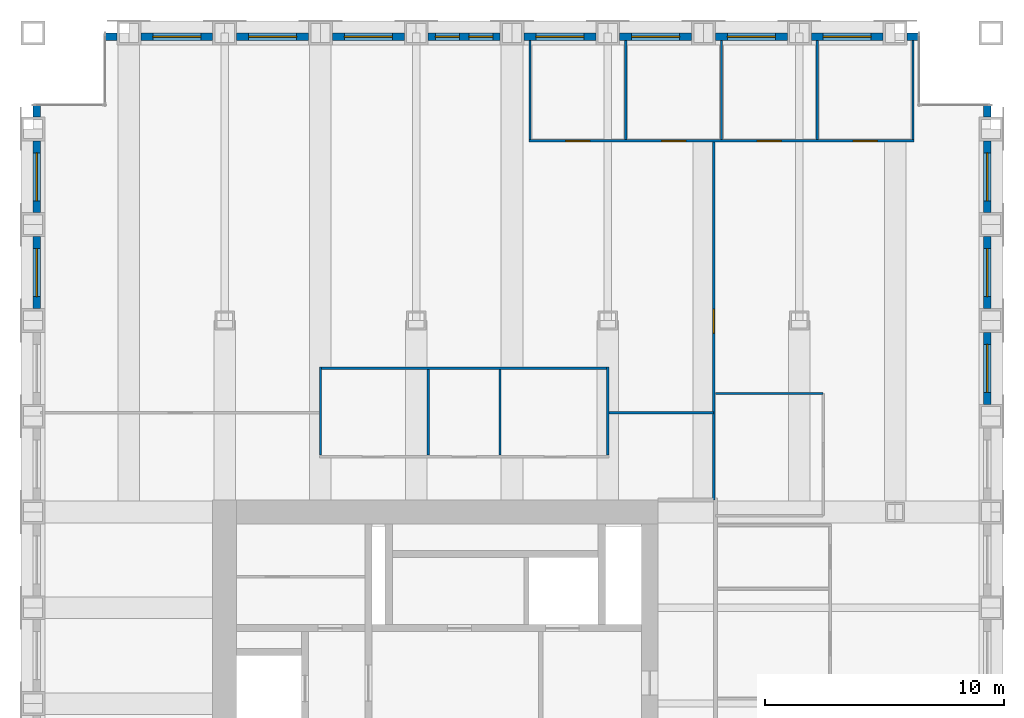
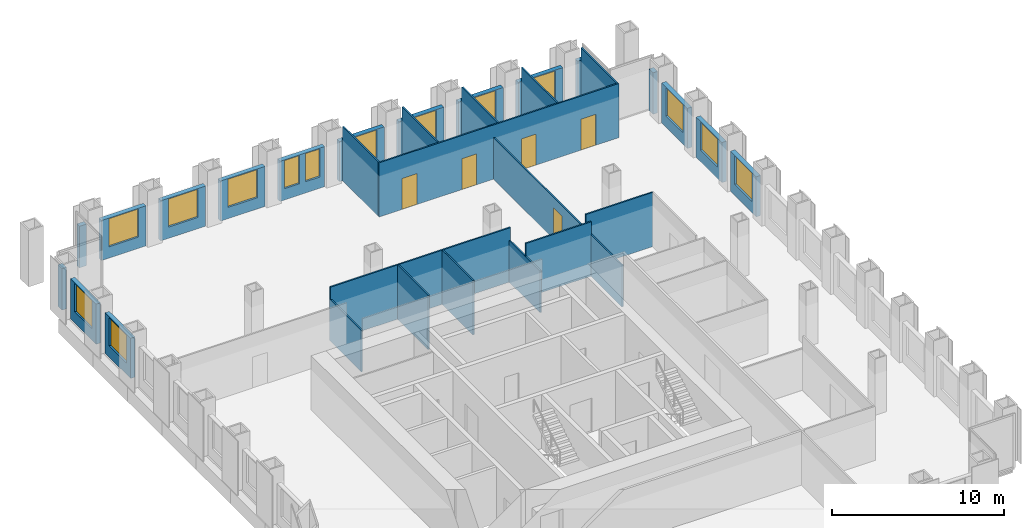
# One storey, part 11 of 13: 31 walls, 14 windows, 5 doors, 19 openings.
"""IFC4 building model written with IfcOpenShell, lengths in metres."""

from ifc_helpers import new_model, si_unit, direction, frame, frame_2d, origin, place, context, subcontext, project, spatial, rectangle, extrude, material, layer, layer_set, type_object, element, fill, save


model = new_model("IFC4")

# Units and contexts
model_context = context("Model", 3, precision=1e-05, world=origin(), true_north=direction((0.0, 1.0)))
body_context = subcontext(model_context, "Body", "Model", "MODEL_VIEW")
ifc_project = project(units=[si_unit("LENGTHUNIT", "METRE"), si_unit("AREAUNIT", "SQUARE_METRE"), si_unit("VOLUMEUNIT", "CUBIC_METRE"), si_unit("PLANEANGLEUNIT", "RADIAN"), si_unit("MASSUNIT", "GRAM", prefix="KILO")], contexts=[model_context])

# Site, building, storey
site_placement = place(None, origin())
site = spatial("IfcSite", under=ifc_project, at=site_placement, CompositionType="ELEMENT")
building_placement = place(site_placement, origin())
building = spatial("IfcBuilding", under=site, at=building_placement, Name="Rimbunsela Tower", CompositionType="ELEMENT")
storey_placement = place(building_placement, frame((0.0, 0.0, 214.199951171875)))
storey = spatial("IfcBuildingStorey", under=building, at=storey_placement, Name="L51", CompositionType="ELEMENT", Elevation=214.199951171875)

# Wall, openings, doors
ifc_material_1 = material(Name="Gypsum board on steel studs", Category="steel")
ifc_layer_1 = layer(ifc_material_1, 0.10009765625)
ifc_layer_set_1 = layer_set([ifc_layer_1], Name="Office partition 100")
wall_type_1 = type_object("IfcWallType", Name="Office partition 100", PredefinedType="PARTITIONING", material=ifc_layer_set_1)
wall_1_placement = place(storey_placement, frame((30.699951171875, 51.5, 0.0), z_axis=(0.0, 0.0, 1.0), x_axis=(1.0, 0.0, 0.0)))
wall_1 = element("IfcWall", 1, at=wall_1_placement, inside=storey, type_object=wall_type_1, Name="Office partition", PredefinedType="PARTITIONING", context=body_context, shape_type="SweptSolid", body=[
    extrude(rectangle(XDim=16.10009765625, YDim=0.10009765625, at=frame_2d((8.050048828125, 0.0))), origin(), (0.0, 0.0, 1.0), 3.85009765625),
])
opening_1_placement = place(wall_1_placement, frame((1.550048828125, 0.0, 0.0)))
opening_1 = element("IfcOpeningElement", 2, at=opening_1_placement, cuts=wall_1, Name="Opening D16", PredefinedType="OPENING", context=body_context, shape_type="SweptSolid", body=[
    extrude(rectangle(XDim=1.0, YDim=2.199951171875, at=frame_2d((0.5, 1.10009765625))), frame((0.0, 0.06005859375, 0.0), z_axis=(0.0, -1.0, 0.0), x_axis=(1.0, 0.0, 0.0)), (0.0, 0.0, 1.0), 0.1201171875),
])
opening_2_placement = place(wall_1_placement, frame((5.550048828125, 0.0, 0.0)))
opening_2 = element("IfcOpeningElement", 3, at=opening_2_placement, cuts=wall_1, Name="Opening D16", PredefinedType="OPENING", context=body_context, shape_type="SweptSolid", body=[
    extrude(rectangle(XDim=1.0, YDim=2.199951171875, at=frame_2d((0.5, 1.10009765625))), frame((0.0, 0.06005859375, 0.0), z_axis=(0.0, -1.0, 0.0), x_axis=(1.0, 0.0, 0.0)), (0.0, 0.0, 1.0), 0.1201171875),
])
opening_3_placement = place(wall_1_placement, frame((9.550048828125, 0.0, 0.0)))
opening_3 = element("IfcOpeningElement", 4, at=opening_3_placement, cuts=wall_1, Name="Opening D16", PredefinedType="OPENING", context=body_context, shape_type="SweptSolid", body=[
    extrude(rectangle(XDim=1.0, YDim=2.199951171875, at=frame_2d((0.5, 1.10009765625))), frame((0.0, 0.06005859375, 0.0), z_axis=(0.0, -1.0, 0.0), x_axis=(1.0, 0.0, 0.0)), (0.0, 0.0, 1.0), 0.1201171875),
])
opening_4_placement = place(wall_1_placement, frame((13.550048828125, 0.0, 0.0)))
opening_4 = element("IfcOpeningElement", 5, at=opening_4_placement, cuts=wall_1, Name="Opening D16", PredefinedType="OPENING", context=body_context, shape_type="SweptSolid", body=[
    extrude(rectangle(XDim=1.0, YDim=2.199951171875, at=frame_2d((0.5, 1.10009765625))), frame((0.0, 0.06005859375, 0.0), z_axis=(0.0, -1.0, 0.0), x_axis=(1.0, 0.0, 0.0)), (0.0, 0.0, 1.0), 0.1201171875),
])
ifc_material_2 = material(Name="Timber door", Category="wood")
door_type_1 = type_object("IfcDoorType", Name="Office door 1000", OperationType="SINGLE_SWING_LEFT", PredefinedType="DOOR", material=ifc_material_2)
door_1_placement = place(opening_1_placement, origin())
door_1 = element("IfcDoor", 6, at=door_1_placement, inside=storey, type_object=door_type_1, Name="Office door", OperationType="SINGLE_SWING_LEFT", OverallHeight=2.199951171875, OverallWidth=1.0, PredefinedType="DOOR", context=body_context, shape_type="SweptSolid", body=[
    extrude(rectangle(XDim=1.0, YDim=2.199951171875, at=frame_2d((0.5, 1.10009765625))), frame((0.0, 0.02490234375, 0.0), z_axis=(0.0, -1.0, 0.0), x_axis=(1.0, 0.0, 0.0)), (0.0, 0.0, 1.0), 0.050048828125),
])
fill(opening_1, door_1)
door_2_placement = place(opening_2_placement, origin())
door_2 = element("IfcDoor", 7, at=door_2_placement, inside=storey, type_object=door_type_1, Name="Office door", OperationType="SINGLE_SWING_LEFT", OverallHeight=2.199951171875, OverallWidth=1.0, PredefinedType="DOOR", context=body_context, shape_type="SweptSolid", body=[
    extrude(rectangle(XDim=1.0, YDim=2.199951171875, at=frame_2d((0.5, 1.10009765625))), frame((0.0, 0.02490234375, 0.0), z_axis=(0.0, -1.0, 0.0), x_axis=(1.0, 0.0, 0.0)), (0.0, 0.0, 1.0), 0.050048828125),
])
fill(opening_2, door_2)
door_3_placement = place(opening_3_placement, origin())
door_3 = element("IfcDoor", 8, at=door_3_placement, inside=storey, type_object=door_type_1, Name="Office door", OperationType="SINGLE_SWING_LEFT", OverallHeight=2.199951171875, OverallWidth=1.0, PredefinedType="DOOR", context=body_context, shape_type="SweptSolid", body=[
    extrude(rectangle(XDim=1.0, YDim=2.199951171875, at=frame_2d((0.5, 1.10009765625))), frame((0.0, 0.02490234375, 0.0), z_axis=(0.0, -1.0, 0.0), x_axis=(1.0, 0.0, 0.0)), (0.0, 0.0, 1.0), 0.050048828125),
])
fill(opening_3, door_3)
door_4_placement = place(opening_4_placement, origin())
door_4 = element("IfcDoor", 9, at=door_4_placement, inside=storey, type_object=door_type_1, Name="Office door", OperationType="SINGLE_SWING_LEFT", OverallHeight=2.199951171875, OverallWidth=1.0, PredefinedType="DOOR", context=body_context, shape_type="SweptSolid", body=[
    extrude(rectangle(XDim=1.0, YDim=2.199951171875, at=frame_2d((0.5, 1.10009765625))), frame((0.0, 0.02490234375, 0.0), z_axis=(0.0, -1.0, 0.0), x_axis=(1.0, 0.0, 0.0)), (0.0, 0.0, 1.0), 0.050048828125),
])
fill(opening_4, door_4)

# Walls
for number, where, z_axis, x_axis, name in (
    (10, (30.75, 51.550048828125, 0.0), (0.0, 0.0, 1.0), (0.0, 1.0, 0.0), "Office partition"),
    (11, (34.75, 51.550048828125, 0.0), (0.0, 0.0, 1.0), (0.0, 1.0, 0.0), "Office partition"),
    (12, (38.75, 51.550048828125, 0.0), (0.0, 0.0, 1.0), (0.0, 1.0, 0.0), "Office partition"),
    (13, (42.75, 51.550048828125, 0.0), (0.0, 0.0, 1.0), (0.0, 1.0, 0.0), "Office partition"),
    (14, (46.75, 51.550048828125, 0.0), (0.0, 0.0, 1.0), (0.0, 1.0, 0.0), "Office partition"),
):
    element("IfcWall", number, at=place(storey_placement, frame(where, z_axis=z_axis, x_axis=x_axis)), inside=storey, type_object=wall_type_1, Name=name, PredefinedType="PARTITIONING", context=body_context, shape_type="SweptSolid", body=[
        extrude(rectangle(XDim=4.14990234375, YDim=0.10009765625, at=frame_2d((2.074951171875, 0.0))), origin(), (0.0, 0.0, 1.0), 3.85009765625),
    ])

# Wall, opening, door
wall_2_placement = place(storey_placement, frame((38.425048828125, 51.449951171875, 0.0), z_axis=(0.0, 0.0, 1.0), x_axis=(0.0, -1.0, 0.0)))
wall_2 = element("IfcWall", 15, at=wall_2_placement, inside=storey, type_object=wall_type_1, Name="Office partition", PredefinedType="PARTITIONING", context=body_context, shape_type="SweptSolid", body=[
    extrude(rectangle(XDim=14.949951171875, YDim=0.10009765625, at=frame_2d((7.47509765625, 0.0))), origin(), (0.0, 0.0, 1.0), 2.949951171875),
])
opening_5_placement = place(wall_2_placement, frame((6.97509765625, 0.0, 0.0)))
opening_5 = element("IfcOpeningElement", 16, at=opening_5_placement, cuts=wall_2, Name="Opening D17", PredefinedType="OPENING", context=body_context, shape_type="SweptSolid", body=[
    extrude(rectangle(XDim=1.0, YDim=2.199951171875, at=frame_2d((0.5, 1.10009765625))), frame((0.0, 0.06005859375, 0.0), z_axis=(0.0, -1.0, 0.0), x_axis=(1.0, 0.0, 0.0)), (0.0, 0.0, 1.0), 0.1201171875),
])
ifc_material_3 = material(Name="Glazed aluminium door", Category="aluminium")
door_type_2 = type_object("IfcDoorType", Name="Meeting room door 1000 glazed", OperationType="SINGLE_SWING_RIGHT", PredefinedType="DOOR", material=ifc_material_3)
door_5_placement = place(opening_5_placement, origin())
door_5 = element("IfcDoor", 17, at=door_5_placement, inside=storey, type_object=door_type_2, Name="Open office screen door", OperationType="SINGLE_SWING_RIGHT", OverallHeight=2.199951171875, OverallWidth=1.0, PredefinedType="DOOR", context=body_context, shape_type="SweptSolid", body=[
    extrude(rectangle(XDim=1.0, YDim=2.199951171875, at=frame_2d((0.5, 1.10009765625))), frame((0.0, 0.02490234375, 0.0), z_axis=(0.0, -1.0, 0.0), x_axis=(1.0, 0.0, 0.0)), (0.0, 0.0, 1.0), 0.050048828125),
])
fill(opening_5, door_5)

# Walls
wall_3_placement = place(storey_placement, frame((34.0, 40.14990234375, 0.0), z_axis=(0.0, 0.0, 1.0), x_axis=(1.0, 0.0, 0.0)))
element("IfcWall", 18, at=wall_3_placement, inside=storey, type_object=wall_type_1, Name="Office partition", PredefinedType="PARTITIONING", context=body_context, shape_type="SweptSolid", body=[
    extrude(rectangle(XDim=4.425048828125, YDim=0.10009765625, at=frame_2d((2.21240234375, 0.0))), origin(), (0.0, 0.0, 1.0), 3.85009765625),
])
wall_4_placement = place(storey_placement, frame((43.0, 40.949951171875, 0.0), z_axis=(0.0, 0.0, 1.0), x_axis=(-1.0, 0.0, 0.0)))
element("IfcWall", 19, at=wall_4_placement, inside=storey, type_object=wall_type_1, Name="Office partition", PredefinedType="PARTITIONING", context=body_context, shape_type="SweptSolid", body=[
    extrude(rectangle(XDim=4.5, YDim=0.10009765625, at=frame_2d((2.25, 0.0))), origin(), (0.0, 0.0, 1.0), 3.85009765625),
])

# Wall, opening, window
ifc_material_4 = material(Name="Precast concrete fc' 35 MPa", Category="concrete")
ifc_layer_2 = layer(ifc_material_4, 0.300048828125)
ifc_layer_set_2 = layer_set([ifc_layer_2], Name="Precast concrete fc' 35 MPa")
wall_type_2 = type_object("IfcWallType", Name="Precast facade panel 300", PredefinedType="ELEMENTEDWALL", material=ifc_layer_set_2)
wall_5_placement = place(storey_placement, frame((49.85009765625, 40.5, 0.0), z_axis=(0.0, 0.0, 1.0), x_axis=(0.0, 1.0, 0.0)))
wall_5 = element("IfcWall", 20, at=wall_5_placement, inside=storey, type_object=wall_type_2, Name="Facade panel E L51", PredefinedType="ELEMENTEDWALL", context=body_context, shape_type="SweptSolid", body=[
    extrude(rectangle(XDim=3.0, YDim=0.300048828125, at=frame_2d((1.5, 0.0))), origin(), (0.0, 0.0, 1.0), 2.85009765625),
])
opening_6_placement = place(wall_5_placement, frame((0.5, 0.0, 0.800048828125)))
opening_6 = element("IfcOpeningElement", 21, at=opening_6_placement, cuts=wall_5, Name="Opening W1", PredefinedType="OPENING", context=body_context, shape_type="SweptSolid", body=[
    extrude(rectangle(XDim=2.0, YDim=2.0, at=frame_2d((1.0, 1.0))), frame((0.0, 0.159912109375, 0.0), z_axis=(0.0, -1.0, 0.0), x_axis=(1.0, 0.0, 0.0)), (0.0, 0.0, 1.0), 0.320068359375),
])
ifc_material_5 = material(Name="Clear glass in aluminium frame", Category="aluminium")
window_type_1 = type_object("IfcWindowType", Name="Window W1 2000x2000", PartitioningType="DOUBLE_PANEL_VERTICAL", PredefinedType="WINDOW", material=ifc_material_5)
window_1_placement = place(opening_6_placement, origin())
window_1 = element("IfcWindow", 22, at=window_1_placement, inside=storey, type_object=window_type_1, Name="Window L51", OverallHeight=2.0, OverallWidth=2.0, PartitioningType="SINGLE_PANEL", PredefinedType="WINDOW", context=body_context, shape_type="SweptSolid", body=[
    extrude(rectangle(XDim=2.0, YDim=2.0, at=frame_2d((1.0, 1.0))), frame((0.0, 0.030029296875, 0.0), z_axis=(0.0, -1.0, 0.0), x_axis=(1.0, 0.0, 0.0)), (0.0, 0.0, 1.0), 0.06005859375),
])
fill(opening_6, window_1)

wall_6_placement = place(storey_placement, frame((49.85009765625, 44.5, 0.0), z_axis=(0.0, 0.0, 1.0), x_axis=(0.0, 1.0, 0.0)))
wall_6 = element("IfcWall", 23, at=wall_6_placement, inside=storey, type_object=wall_type_2, Name="Facade panel E L51", PredefinedType="ELEMENTEDWALL", context=body_context, shape_type="SweptSolid", body=[
    extrude(rectangle(XDim=3.0, YDim=0.300048828125, at=frame_2d((1.5, 0.0))), origin(), (0.0, 0.0, 1.0), 2.85009765625),
])
opening_7_placement = place(wall_6_placement, frame((0.5, 0.0, 0.800048828125)))
opening_7 = element("IfcOpeningElement", 24, at=opening_7_placement, cuts=wall_6, Name="Opening W1", PredefinedType="OPENING", context=body_context, shape_type="SweptSolid", body=[
    extrude(rectangle(XDim=2.0, YDim=2.0, at=frame_2d((1.0, 1.0))), frame((0.0, 0.159912109375, 0.0), z_axis=(0.0, -1.0, 0.0), x_axis=(1.0, 0.0, 0.0)), (0.0, 0.0, 1.0), 0.320068359375),
])
window_2_placement = place(opening_7_placement, origin())
window_2 = element("IfcWindow", 25, at=window_2_placement, inside=storey, type_object=window_type_1, Name="Window L51", OverallHeight=2.0, OverallWidth=2.0, PartitioningType="SINGLE_PANEL", PredefinedType="WINDOW", context=body_context, shape_type="SweptSolid", body=[
    extrude(rectangle(XDim=2.0, YDim=2.0, at=frame_2d((1.0, 1.0))), frame((0.0, 0.030029296875, 0.0), z_axis=(0.0, -1.0, 0.0), x_axis=(1.0, 0.0, 0.0)), (0.0, 0.0, 1.0), 0.06005859375),
])
fill(opening_7, window_2)

wall_7_placement = place(storey_placement, frame((49.85009765625, 48.5, 0.0), z_axis=(0.0, 0.0, 1.0), x_axis=(0.0, 1.0, 0.0)))
wall_7 = element("IfcWall", 26, at=wall_7_placement, inside=storey, type_object=wall_type_2, Name="Facade panel E L51", PredefinedType="ELEMENTEDWALL", context=body_context, shape_type="SweptSolid", body=[
    extrude(rectangle(XDim=3.0, YDim=0.300048828125, at=frame_2d((1.5, 0.0))), origin(), (0.0, 0.0, 1.0), 2.85009765625),
])
opening_8_placement = place(wall_7_placement, frame((0.5, 0.0, 0.800048828125)))
opening_8 = element("IfcOpeningElement", 27, at=opening_8_placement, cuts=wall_7, Name="Opening W1", PredefinedType="OPENING", context=body_context, shape_type="SweptSolid", body=[
    extrude(rectangle(XDim=2.0, YDim=2.0, at=frame_2d((1.0, 1.0))), frame((0.0, 0.159912109375, 0.0), z_axis=(0.0, -1.0, 0.0), x_axis=(1.0, 0.0, 0.0)), (0.0, 0.0, 1.0), 0.320068359375),
])
window_3_placement = place(opening_8_placement, origin())
window_3 = element("IfcWindow", 28, at=window_3_placement, inside=storey, type_object=window_type_1, Name="Window L51", OverallHeight=2.0, OverallWidth=2.0, PartitioningType="SINGLE_PANEL", PredefinedType="WINDOW", context=body_context, shape_type="SweptSolid", body=[
    extrude(rectangle(XDim=2.0, YDim=2.0, at=frame_2d((1.0, 1.0))), frame((0.0, 0.030029296875, 0.0), z_axis=(0.0, -1.0, 0.0), x_axis=(1.0, 0.0, 0.0)), (0.0, 0.0, 1.0), 0.06005859375),
])
fill(opening_8, window_3)

# Walls
for number, where, z_axis, x_axis, name in (
    (29, (49.85009765625, 52.5, 0.0), (0.0, 0.0, 1.0), (0.0, 1.0, 0.0), "Facade panel E L51"),
    (30, (13.5, 55.85009765625, 0.0), (0.0, 0.0, 1.0), (-1.0, 0.0, 0.0), "Facade panel N L51"),
):
    element("IfcWall", number, at=place(storey_placement, frame(where, z_axis=z_axis, x_axis=x_axis)), inside=storey, type_object=wall_type_2, Name=name, PredefinedType="ELEMENTEDWALL", context=body_context, shape_type="SweptSolid", body=[
        extrude(rectangle(XDim=0.469970703125, YDim=0.300048828125, at=frame_2d((0.23486328125, 0.0))), origin(), (0.0, 0.0, 1.0), 2.949951171875),
    ])

# Wall, opening, window
wall_8_placement = place(storey_placement, frame((17.5, 55.85009765625, 0.0), z_axis=(0.0, 0.0, 1.0), x_axis=(-1.0, 0.0, 0.0)))
wall_8 = element("IfcWall", 31, at=wall_8_placement, inside=storey, type_object=wall_type_2, Name="Facade panel N L51", PredefinedType="ELEMENTEDWALL", context=body_context, shape_type="SweptSolid", body=[
    extrude(rectangle(XDim=3.0, YDim=0.300048828125, at=frame_2d((1.5, 0.0))), origin(), (0.0, 0.0, 1.0), 2.85009765625),
])
opening_9_placement = place(wall_8_placement, frame((0.5, 0.0, 0.800048828125)))
opening_9 = element("IfcOpeningElement", 32, at=opening_9_placement, cuts=wall_8, Name="Opening W1", PredefinedType="OPENING", context=body_context, shape_type="SweptSolid", body=[
    extrude(rectangle(XDim=2.0, YDim=2.0, at=frame_2d((1.0, 1.0))), frame((0.0, 0.159912109375, 0.0), z_axis=(0.0, -1.0, 0.0), x_axis=(1.0, 0.0, 0.0)), (0.0, 0.0, 1.0), 0.320068359375),
])
window_4_placement = place(opening_9_placement, origin())
window_4 = element("IfcWindow", 33, at=window_4_placement, inside=storey, type_object=window_type_1, Name="Window L51", OverallHeight=2.0, OverallWidth=2.0, PartitioningType="SINGLE_PANEL", PredefinedType="WINDOW", context=body_context, shape_type="SweptSolid", body=[
    extrude(rectangle(XDim=2.0, YDim=2.0, at=frame_2d((1.0, 1.0))), frame((0.0, 0.030029296875, 0.0), z_axis=(0.0, -1.0, 0.0), x_axis=(1.0, 0.0, 0.0)), (0.0, 0.0, 1.0), 0.06005859375),
])
fill(opening_9, window_4)

wall_9_placement = place(storey_placement, frame((21.5, 55.85009765625, 0.0), z_axis=(0.0, 0.0, 1.0), x_axis=(-1.0, 0.0, 0.0)))
wall_9 = element("IfcWall", 34, at=wall_9_placement, inside=storey, type_object=wall_type_2, Name="Facade panel N L51", PredefinedType="ELEMENTEDWALL", context=body_context, shape_type="SweptSolid", body=[
    extrude(rectangle(XDim=3.0, YDim=0.300048828125, at=frame_2d((1.5, 0.0))), origin(), (0.0, 0.0, 1.0), 2.85009765625),
])
opening_10_placement = place(wall_9_placement, frame((0.5, 0.0, 0.800048828125)))
opening_10 = element("IfcOpeningElement", 35, at=opening_10_placement, cuts=wall_9, Name="Opening W1", PredefinedType="OPENING", context=body_context, shape_type="SweptSolid", body=[
    extrude(rectangle(XDim=2.0, YDim=2.0, at=frame_2d((1.0, 1.0))), frame((0.0, 0.159912109375, 0.0), z_axis=(0.0, -1.0, 0.0), x_axis=(1.0, 0.0, 0.0)), (0.0, 0.0, 1.0), 0.320068359375),
])
window_5_placement = place(opening_10_placement, origin())
window_5 = element("IfcWindow", 36, at=window_5_placement, inside=storey, type_object=window_type_1, Name="Window L51", OverallHeight=2.0, OverallWidth=2.0, PartitioningType="SINGLE_PANEL", PredefinedType="WINDOW", context=body_context, shape_type="SweptSolid", body=[
    extrude(rectangle(XDim=2.0, YDim=2.0, at=frame_2d((1.0, 1.0))), frame((0.0, 0.030029296875, 0.0), z_axis=(0.0, -1.0, 0.0), x_axis=(1.0, 0.0, 0.0)), (0.0, 0.0, 1.0), 0.06005859375),
])
fill(opening_10, window_5)

wall_10_placement = place(storey_placement, frame((25.5, 55.85009765625, 0.0), z_axis=(0.0, 0.0, 1.0), x_axis=(-1.0, 0.0, 0.0)))
wall_10 = element("IfcWall", 37, at=wall_10_placement, inside=storey, type_object=wall_type_2, Name="Facade panel N L51", PredefinedType="ELEMENTEDWALL", context=body_context, shape_type="SweptSolid", body=[
    extrude(rectangle(XDim=3.0, YDim=0.300048828125, at=frame_2d((1.5, 0.0))), origin(), (0.0, 0.0, 1.0), 2.85009765625),
])
opening_11_placement = place(wall_10_placement, frame((0.5, 0.0, 0.800048828125)))
opening_11 = element("IfcOpeningElement", 38, at=opening_11_placement, cuts=wall_10, Name="Opening W1", PredefinedType="OPENING", context=body_context, shape_type="SweptSolid", body=[
    extrude(rectangle(XDim=2.0, YDim=2.0, at=frame_2d((1.0, 1.0))), frame((0.0, 0.159912109375, 0.0), z_axis=(0.0, -1.0, 0.0), x_axis=(1.0, 0.0, 0.0)), (0.0, 0.0, 1.0), 0.320068359375),
])
window_6_placement = place(opening_11_placement, origin())
window_6 = element("IfcWindow", 39, at=window_6_placement, inside=storey, type_object=window_type_1, Name="Window L51", OverallHeight=2.0, OverallWidth=2.0, PartitioningType="SINGLE_PANEL", PredefinedType="WINDOW", context=body_context, shape_type="SweptSolid", body=[
    extrude(rectangle(XDim=2.0, YDim=2.0, at=frame_2d((1.0, 1.0))), frame((0.0, 0.030029296875, 0.0), z_axis=(0.0, -1.0, 0.0), x_axis=(1.0, 0.0, 0.0)), (0.0, 0.0, 1.0), 0.06005859375),
])
fill(opening_11, window_6)

# Wall, openings, windows
wall_11_placement = place(storey_placement, frame((29.5, 55.85009765625, 0.0), z_axis=(0.0, 0.0, 1.0), x_axis=(-1.0, 0.0, 0.0)))
wall_11 = element("IfcWall", 40, at=wall_11_placement, inside=storey, type_object=wall_type_2, Name="Facade panel N L51", PredefinedType="ELEMENTEDWALL", context=body_context, shape_type="SweptSolid", body=[
    extrude(rectangle(XDim=3.0, YDim=0.300048828125, at=frame_2d((1.5, 0.0))), origin(), (0.0, 0.0, 1.0), 2.85009765625),
])
opening_12_placement = place(wall_11_placement, frame((1.699951171875, 0.0, 0.800048828125)))
opening_12 = element("IfcOpeningElement", 41, at=opening_12_placement, cuts=wall_11, Name="Opening W5", PredefinedType="OPENING", context=body_context, shape_type="SweptSolid", body=[
    extrude(rectangle(XDim=1.0, YDim=2.0, at=frame_2d((0.5, 1.0))), frame((0.0, 0.159912109375, 0.0), z_axis=(0.0, -1.0, 0.0), x_axis=(1.0, 0.0, 0.0)), (0.0, 0.0, 1.0), 0.320068359375),
])
opening_13_placement = place(wall_11_placement, frame((0.300048828125, 0.0, 0.800048828125)))
opening_13 = element("IfcOpeningElement", 42, at=opening_13_placement, cuts=wall_11, Name="Opening W5", PredefinedType="OPENING", context=body_context, shape_type="SweptSolid", body=[
    extrude(rectangle(XDim=1.0, YDim=2.0, at=frame_2d((0.5, 1.0))), frame((0.0, 0.159912109375, 0.0), z_axis=(0.0, -1.0, 0.0), x_axis=(1.0, 0.0, 0.0)), (0.0, 0.0, 1.0), 0.320068359375),
])
ifc_material_6 = material(Name="Clear glass in aluminium frame", Category="aluminium")
window_type_2 = type_object("IfcWindowType", Name="Window W5 1000x2000", PartitioningType="SINGLE_PANEL", PredefinedType="WINDOW", material=ifc_material_6)
window_7_placement = place(opening_12_placement, origin())
window_7 = element("IfcWindow", 43, at=window_7_placement, inside=storey, type_object=window_type_2, Name="Window L51", OverallHeight=2.0, OverallWidth=1.0, PartitioningType="SINGLE_PANEL", PredefinedType="WINDOW", context=body_context, shape_type="SweptSolid", body=[
    extrude(rectangle(XDim=1.0, YDim=2.0, at=frame_2d((0.5, 1.0))), frame((0.0, 0.030029296875, 0.0), z_axis=(0.0, -1.0, 0.0), x_axis=(1.0, 0.0, 0.0)), (0.0, 0.0, 1.0), 0.06005859375),
])
fill(opening_12, window_7)
window_8_placement = place(opening_13_placement, origin())
window_8 = element("IfcWindow", 44, at=window_8_placement, inside=storey, type_object=window_type_2, Name="Window L51", OverallHeight=2.0, OverallWidth=1.0, PartitioningType="SINGLE_PANEL", PredefinedType="WINDOW", context=body_context, shape_type="SweptSolid", body=[
    extrude(rectangle(XDim=1.0, YDim=2.0, at=frame_2d((0.5, 1.0))), frame((0.0, 0.030029296875, 0.0), z_axis=(0.0, -1.0, 0.0), x_axis=(1.0, 0.0, 0.0)), (0.0, 0.0, 1.0), 0.06005859375),
])
fill(opening_13, window_8)

# Wall, opening, window
wall_12_placement = place(storey_placement, frame((33.5, 55.85009765625, 0.0), z_axis=(0.0, 0.0, 1.0), x_axis=(-1.0, 0.0, 0.0)))
wall_12 = element("IfcWall", 45, at=wall_12_placement, inside=storey, type_object=wall_type_2, Name="Facade panel N L51", PredefinedType="ELEMENTEDWALL", context=body_context, shape_type="SweptSolid", body=[
    extrude(rectangle(XDim=3.0, YDim=0.300048828125, at=frame_2d((1.5, 0.0))), origin(), (0.0, 0.0, 1.0), 2.85009765625),
])
opening_14_placement = place(wall_12_placement, frame((0.5, 0.0, 0.800048828125)))
opening_14 = element("IfcOpeningElement", 46, at=opening_14_placement, cuts=wall_12, Name="Opening W1", PredefinedType="OPENING", context=body_context, shape_type="SweptSolid", body=[
    extrude(rectangle(XDim=2.0, YDim=2.0, at=frame_2d((1.0, 1.0))), frame((0.0, 0.159912109375, 0.0), z_axis=(0.0, -1.0, 0.0), x_axis=(1.0, 0.0, 0.0)), (0.0, 0.0, 1.0), 0.320068359375),
])
window_9_placement = place(opening_14_placement, origin())
window_9 = element("IfcWindow", 47, at=window_9_placement, inside=storey, type_object=window_type_1, Name="Window L51", OverallHeight=2.0, OverallWidth=2.0, PartitioningType="SINGLE_PANEL", PredefinedType="WINDOW", context=body_context, shape_type="SweptSolid", body=[
    extrude(rectangle(XDim=2.0, YDim=2.0, at=frame_2d((1.0, 1.0))), frame((0.0, 0.030029296875, 0.0), z_axis=(0.0, -1.0, 0.0), x_axis=(1.0, 0.0, 0.0)), (0.0, 0.0, 1.0), 0.06005859375),
])
fill(opening_14, window_9)

wall_13_placement = place(storey_placement, frame((37.5, 55.85009765625, 0.0), z_axis=(0.0, 0.0, 1.0), x_axis=(-1.0, 0.0, 0.0)))
wall_13 = element("IfcWall", 48, at=wall_13_placement, inside=storey, type_object=wall_type_2, Name="Facade panel N L51", PredefinedType="ELEMENTEDWALL", context=body_context, shape_type="SweptSolid", body=[
    extrude(rectangle(XDim=3.0, YDim=0.300048828125, at=frame_2d((1.5, 0.0))), origin(), (0.0, 0.0, 1.0), 2.85009765625),
])
opening_15_placement = place(wall_13_placement, frame((0.5, 0.0, 0.800048828125)))
opening_15 = element("IfcOpeningElement", 49, at=opening_15_placement, cuts=wall_13, Name="Opening W1", PredefinedType="OPENING", context=body_context, shape_type="SweptSolid", body=[
    extrude(rectangle(XDim=2.0, YDim=2.0, at=frame_2d((1.0, 1.0))), frame((0.0, 0.159912109375, 0.0), z_axis=(0.0, -1.0, 0.0), x_axis=(1.0, 0.0, 0.0)), (0.0, 0.0, 1.0), 0.320068359375),
])
window_10_placement = place(opening_15_placement, origin())
window_10 = element("IfcWindow", 50, at=window_10_placement, inside=storey, type_object=window_type_1, Name="Window L51", OverallHeight=2.0, OverallWidth=2.0, PartitioningType="SINGLE_PANEL", PredefinedType="WINDOW", context=body_context, shape_type="SweptSolid", body=[
    extrude(rectangle(XDim=2.0, YDim=2.0, at=frame_2d((1.0, 1.0))), frame((0.0, 0.030029296875, 0.0), z_axis=(0.0, -1.0, 0.0), x_axis=(1.0, 0.0, 0.0)), (0.0, 0.0, 1.0), 0.06005859375),
])
fill(opening_15, window_10)

wall_14_placement = place(storey_placement, frame((41.5, 55.85009765625, 0.0), z_axis=(0.0, 0.0, 1.0), x_axis=(-1.0, 0.0, 0.0)))
wall_14 = element("IfcWall", 51, at=wall_14_placement, inside=storey, type_object=wall_type_2, Name="Facade panel N L51", PredefinedType="ELEMENTEDWALL", context=body_context, shape_type="SweptSolid", body=[
    extrude(rectangle(XDim=3.0, YDim=0.300048828125, at=frame_2d((1.5, 0.0))), origin(), (0.0, 0.0, 1.0), 2.85009765625),
])
opening_16_placement = place(wall_14_placement, frame((0.5, 0.0, 0.800048828125)))
opening_16 = element("IfcOpeningElement", 52, at=opening_16_placement, cuts=wall_14, Name="Opening W1", PredefinedType="OPENING", context=body_context, shape_type="SweptSolid", body=[
    extrude(rectangle(XDim=2.0, YDim=2.0, at=frame_2d((1.0, 1.0))), frame((0.0, 0.159912109375, 0.0), z_axis=(0.0, -1.0, 0.0), x_axis=(1.0, 0.0, 0.0)), (0.0, 0.0, 1.0), 0.320068359375),
])
window_11_placement = place(opening_16_placement, origin())
window_11 = element("IfcWindow", 53, at=window_11_placement, inside=storey, type_object=window_type_1, Name="Window L51", OverallHeight=2.0, OverallWidth=2.0, PartitioningType="SINGLE_PANEL", PredefinedType="WINDOW", context=body_context, shape_type="SweptSolid", body=[
    extrude(rectangle(XDim=2.0, YDim=2.0, at=frame_2d((1.0, 1.0))), frame((0.0, 0.030029296875, 0.0), z_axis=(0.0, -1.0, 0.0), x_axis=(1.0, 0.0, 0.0)), (0.0, 0.0, 1.0), 0.06005859375),
])
fill(opening_16, window_11)

wall_15_placement = place(storey_placement, frame((45.5, 55.85009765625, 0.0), z_axis=(0.0, 0.0, 1.0), x_axis=(-1.0, 0.0, 0.0)))
wall_15 = element("IfcWall", 54, at=wall_15_placement, inside=storey, type_object=wall_type_2, Name="Facade panel N L51", PredefinedType="ELEMENTEDWALL", context=body_context, shape_type="SweptSolid", body=[
    extrude(rectangle(XDim=3.0, YDim=0.300048828125, at=frame_2d((1.5, 0.0))), origin(), (0.0, 0.0, 1.0), 2.85009765625),
])
opening_17_placement = place(wall_15_placement, frame((0.5, 0.0, 0.800048828125)))
opening_17 = element("IfcOpeningElement", 55, at=opening_17_placement, cuts=wall_15, Name="Opening W1", PredefinedType="OPENING", context=body_context, shape_type="SweptSolid", body=[
    extrude(rectangle(XDim=2.0, YDim=2.0, at=frame_2d((1.0, 1.0))), frame((0.0, 0.159912109375, 0.0), z_axis=(0.0, -1.0, 0.0), x_axis=(1.0, 0.0, 0.0)), (0.0, 0.0, 1.0), 0.320068359375),
])
window_12_placement = place(opening_17_placement, origin())
window_12 = element("IfcWindow", 56, at=window_12_placement, inside=storey, type_object=window_type_1, Name="Window L51", OverallHeight=2.0, OverallWidth=2.0, PartitioningType="SINGLE_PANEL", PredefinedType="WINDOW", context=body_context, shape_type="SweptSolid", body=[
    extrude(rectangle(XDim=2.0, YDim=2.0, at=frame_2d((1.0, 1.0))), frame((0.0, 0.030029296875, 0.0), z_axis=(0.0, -1.0, 0.0), x_axis=(1.0, 0.0, 0.0)), (0.0, 0.0, 1.0), 0.06005859375),
])
fill(opening_17, window_12)

# Wall
wall_16_placement = place(storey_placement, frame((46.969970703125, 55.85009765625, 0.0), z_axis=(0.0, 0.0, 1.0), x_axis=(-1.0, 0.0, 0.0)))
element("IfcWall", 57, at=wall_16_placement, inside=storey, type_object=wall_type_2, Name="Facade panel N L51", PredefinedType="ELEMENTEDWALL", context=body_context, shape_type="SweptSolid", body=[
    extrude(rectangle(XDim=0.469970703125, YDim=0.300048828125, at=frame_2d((0.23486328125, 0.0))), origin(), (0.0, 0.0, 1.0), 2.949951171875),
])

# Wall, opening, window
wall_17_placement = place(storey_placement, frame((10.14990234375, 47.5, 0.0), z_axis=(0.0, 0.0, 1.0), x_axis=(0.0, -1.0, 0.0)))
wall_17 = element("IfcWall", 58, at=wall_17_placement, inside=storey, type_object=wall_type_2, Name="Facade panel W L51", PredefinedType="ELEMENTEDWALL", context=body_context, shape_type="SweptSolid", body=[
    extrude(rectangle(XDim=3.0, YDim=0.300048828125, at=frame_2d((1.5, 0.0))), origin(), (0.0, 0.0, 1.0), 2.85009765625),
])
opening_18_placement = place(wall_17_placement, frame((0.5, 0.0, 0.800048828125)))
opening_18 = element("IfcOpeningElement", 59, at=opening_18_placement, cuts=wall_17, Name="Opening W1", PredefinedType="OPENING", context=body_context, shape_type="SweptSolid", body=[
    extrude(rectangle(XDim=2.0, YDim=2.0, at=frame_2d((1.0, 1.0))), frame((0.0, 0.159912109375, 0.0), z_axis=(0.0, -1.0, 0.0), x_axis=(1.0, 0.0, 0.0)), (0.0, 0.0, 1.0), 0.320068359375),
])
window_13_placement = place(opening_18_placement, origin())
window_13 = element("IfcWindow", 60, at=window_13_placement, inside=storey, type_object=window_type_1, Name="Window L51", OverallHeight=2.0, OverallWidth=2.0, PartitioningType="SINGLE_PANEL", PredefinedType="WINDOW", context=body_context, shape_type="SweptSolid", body=[
    extrude(rectangle(XDim=2.0, YDim=2.0, at=frame_2d((1.0, 1.0))), frame((0.0, 0.030029296875, 0.0), z_axis=(0.0, -1.0, 0.0), x_axis=(1.0, 0.0, 0.0)), (0.0, 0.0, 1.0), 0.06005859375),
])
fill(opening_18, window_13)

wall_18_placement = place(storey_placement, frame((10.14990234375, 51.5, 0.0), z_axis=(0.0, 0.0, 1.0), x_axis=(0.0, -1.0, 0.0)))
wall_18 = element("IfcWall", 61, at=wall_18_placement, inside=storey, type_object=wall_type_2, Name="Facade panel W L51", PredefinedType="ELEMENTEDWALL", context=body_context, shape_type="SweptSolid", body=[
    extrude(rectangle(XDim=3.0, YDim=0.300048828125, at=frame_2d((1.5, 0.0))), origin(), (0.0, 0.0, 1.0), 2.85009765625),
])
opening_19_placement = place(wall_18_placement, frame((0.5, 0.0, 0.800048828125)))
opening_19 = element("IfcOpeningElement", 62, at=opening_19_placement, cuts=wall_18, Name="Opening W1", PredefinedType="OPENING", context=body_context, shape_type="SweptSolid", body=[
    extrude(rectangle(XDim=2.0, YDim=2.0, at=frame_2d((1.0, 1.0))), frame((0.0, 0.159912109375, 0.0), z_axis=(0.0, -1.0, 0.0), x_axis=(1.0, 0.0, 0.0)), (0.0, 0.0, 1.0), 0.320068359375),
])
window_14_placement = place(opening_19_placement, origin())
window_14 = element("IfcWindow", 63, at=window_14_placement, inside=storey, type_object=window_type_1, Name="Window L51", OverallHeight=2.0, OverallWidth=2.0, PartitioningType="SINGLE_PANEL", PredefinedType="WINDOW", context=body_context, shape_type="SweptSolid", body=[
    extrude(rectangle(XDim=2.0, YDim=2.0, at=frame_2d((1.0, 1.0))), frame((0.0, 0.030029296875, 0.0), z_axis=(0.0, -1.0, 0.0), x_axis=(1.0, 0.0, 0.0)), (0.0, 0.0, 1.0), 0.06005859375),
])
fill(opening_19, window_14)

# Walls
wall_19_placement = place(storey_placement, frame((10.14990234375, 52.969970703125, 0.0), z_axis=(0.0, 0.0, 1.0), x_axis=(0.0, -1.0, 0.0)))
element("IfcWall", 64, at=wall_19_placement, inside=storey, type_object=wall_type_2, Name="Facade panel W L51", PredefinedType="ELEMENTEDWALL", context=body_context, shape_type="SweptSolid", body=[
    extrude(rectangle(XDim=0.469970703125, YDim=0.300048828125, at=frame_2d((0.23486328125, 0.0))), origin(), (0.0, 0.0, 1.0), 2.949951171875),
])
ifc_material_7 = material(Name="Concrete blockwork", Category="masonry")
ifc_layer_3 = layer(ifc_material_7, 0.10009765625)
ifc_layer_set_3 = layer_set([ifc_layer_3], Name="Toilet partition 100")
wall_type_3 = type_object("IfcWallType", Name="Toilet partition 100", PredefinedType="PARTITIONING", material=ifc_layer_set_3)
for number, where, z_axis, x_axis, name in (
    (65, (22.0, 38.375, 0.0), (0.0, 0.0, 1.0), (0.0, 1.0, 0.0), "Toilet block wall west"),
    (66, (34.0, 38.375, 0.0), (0.0, 0.0, 1.0), (0.0, 1.0, 0.0), "Toilet block wall east"),
):
    element("IfcWall", number, at=place(storey_placement, frame(where, z_axis=z_axis, x_axis=x_axis)), inside=storey, type_object=wall_type_3, Name=name, PredefinedType="PARTITIONING", context=body_context, shape_type="SweptSolid", body=[
        extrude(rectangle(XDim=3.675048828125, YDim=0.10009765625, at=frame_2d((1.83740234375, 0.0))), origin(), (0.0, 0.0, 1.0), 2.949951171875),
    ])
wall_20_placement = place(storey_placement, frame((21.949951171875, 42.0, 0.0), z_axis=(0.0, 0.0, 1.0), x_axis=(1.0, 0.0, 0.0)))
element("IfcWall", 67, at=wall_20_placement, inside=storey, type_object=wall_type_3, Name="Toilet block wall north", PredefinedType="PARTITIONING", context=body_context, shape_type="SweptSolid", body=[
    extrude(rectangle(XDim=12.10009765625, YDim=0.10009765625, at=frame_2d((6.050048828125, 0.0))), origin(), (0.0, 0.0, 1.0), 3.85009765625),
])
for number, where, z_axis, x_axis, name in (
    (68, (26.5, 38.375, 0.0), (0.0, 0.0, 1.0), (0.0, 1.0, 0.0), "Toilet partition"),
    (69, (29.5, 38.375, 0.0), (0.0, 0.0, 1.0), (0.0, 1.0, 0.0), "Toilet partition"),
):
    element("IfcWall", number, at=place(storey_placement, frame(where, z_axis=z_axis, x_axis=x_axis)), inside=storey, type_object=wall_type_3, Name=name, PredefinedType="PARTITIONING", context=body_context, shape_type="SweptSolid", body=[
        extrude(rectangle(XDim=3.574951171875, YDim=0.10009765625, at=frame_2d((1.78759765625, 0.0))), origin(), (0.0, 0.0, 1.0), 3.85009765625),
    ])

save(model, "model.ifc")
